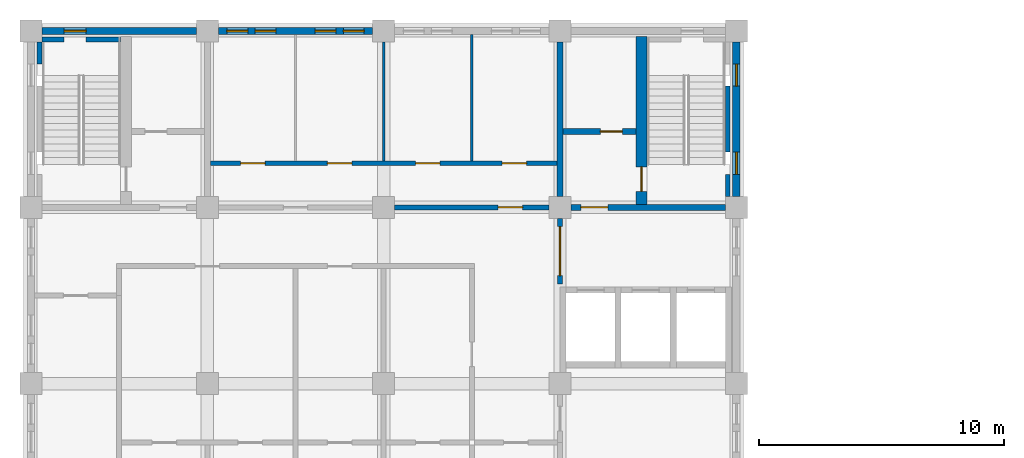
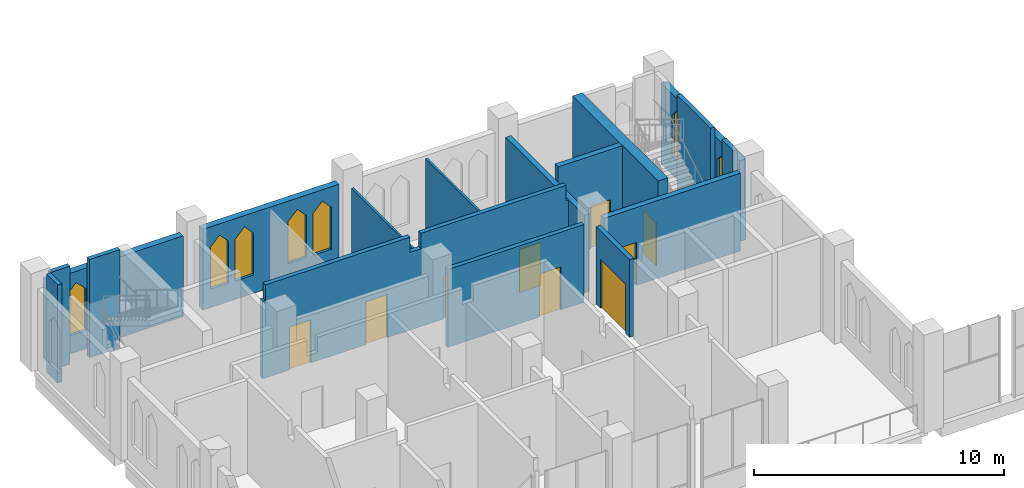
# One storey, part 24 of 30: 17 walls, 9 doors, 7 windows, 16 openings.
"""IFC4 building model written with IfcOpenShell, lengths in metres."""

from ifc_helpers import new_model, si_unit, direction, frame, frame_2d, origin, place, context, subcontext, project, spatial, polyline, rectangle, outline, extrude, material, layer, layer_set, type_object, element, fill, save


model = new_model("IFC4")

# Units and contexts
model_context = context("Model", 3, precision=1e-05, world=origin(), true_north=direction((0.0, 1.0)))
body_context = subcontext(model_context, "Body", "Model", "MODEL_VIEW")
ifc_project = project(units=[si_unit("LENGTHUNIT", "METRE"), si_unit("AREAUNIT", "SQUARE_METRE"), si_unit("VOLUMEUNIT", "CUBIC_METRE"), si_unit("PLANEANGLEUNIT", "RADIAN"), si_unit("MASSUNIT", "GRAM", prefix="KILO")], contexts=[model_context])

# Site, building, storey
site_placement = place(None, origin())
site = spatial("IfcSite", under=ifc_project, at=site_placement, CompositionType="ELEMENT")
building_placement = place(site_placement, origin())
building = spatial("IfcBuilding", under=site, at=building_placement, Name="Silangan Lancet Faculty of Sciences", CompositionType="ELEMENT")
storey_placement = place(building_placement, frame((0.0, 0.0, 31.199951171875)))
storey = spatial("IfcBuildingStorey", under=building, at=storey_placement, Name="L06", CompositionType="ELEMENT", Elevation=31.199951171875)

# Wall, openings, windows
ifc_material_1 = material(Name="Concrete C40/50 precast", Category="concrete")
ifc_layer_1 = layer(ifc_material_1, 0.300048828125)
ifc_layer_set_1 = layer_set([ifc_layer_1], Name="Concrete C40/50 precast")
wall_type_1 = type_object("IfcWallType", Name="EW1 Precast cladding wall", PredefinedType="STANDARD", material=ifc_layer_set_1)
wall_1_placement = place(storey_placement, frame((13.949951171875, 57.60009765625, 0.0), z_axis=(0.0, 0.0, 1.0), x_axis=(-1.0, 0.0, 0.0)))
wall_1 = element("IfcWall", 1, at=wall_1_placement, inside=storey, type_object=wall_type_1, Name="EW-L06-N-NT-02", PredefinedType="STANDARD", context=body_context, shape_type="SweptSolid", body=[
    extrude(rectangle(XDim=6.300048828125, YDim=0.300048828125, at=frame_2d((3.14990234375, 0.0))), origin(), (0.0, 0.0, 1.0), 3.949951171875),
])
opening_1_placement = place(wall_1_placement, frame((0.35009765625, 0.0, 0.89990234375)))
opening_1 = element("IfcOpeningElement", 2, at=opening_1_placement, cuts=wall_1, Name="Opening W14", PredefinedType="OPENING", context=body_context, shape_type="SweptSolid", body=[
    extrude(outline(polyline([(0.0, 0.0), (0.85009765625, 0.0), (0.85009765625, 2.050048828125), (0.425048828125, 2.5), (0.0, 2.050048828125), (0.0, 0.0)])), frame((0.0, 0.159912109375, 0.0), z_axis=(0.0, -1.0, 0.0), x_axis=(1.0, 0.0, 0.0)), (0.0, 0.0, 1.0), 0.320068359375),
])
opening_2_placement = place(wall_1_placement, frame((1.5, 0.0, 0.89990234375)))
opening_2 = element("IfcOpeningElement", 3, at=opening_2_placement, cuts=wall_1, Name="Opening W14", PredefinedType="OPENING", context=body_context, shape_type="SweptSolid", body=[
    extrude(outline(polyline([(0.0, 0.0), (0.85009765625, 0.0), (0.85009765625, 2.050048828125), (0.425048828125, 2.5), (0.0, 2.050048828125), (0.0, 0.0)])), frame((0.0, 0.159912109375, 0.0), z_axis=(0.0, -1.0, 0.0), x_axis=(1.0, 0.0, 0.0)), (0.0, 0.0, 1.0), 0.320068359375),
])
opening_3_placement = place(wall_1_placement, frame((3.949951171875, 0.0, 0.89990234375)))
opening_3 = element("IfcOpeningElement", 4, at=opening_3_placement, cuts=wall_1, Name="Opening W14", PredefinedType="OPENING", context=body_context, shape_type="SweptSolid", body=[
    extrude(outline(polyline([(0.0, 0.0), (0.85009765625, 0.0), (0.85009765625, 2.050048828125), (0.425048828125, 2.5), (0.0, 2.050048828125), (0.0, 0.0)])), frame((0.0, 0.159912109375, 0.0), z_axis=(0.0, -1.0, 0.0), x_axis=(1.0, 0.0, 0.0)), (0.0, 0.0, 1.0), 0.320068359375),
])
opening_4_placement = place(wall_1_placement, frame((5.10009765625, 0.0, 0.89990234375)))
opening_4 = element("IfcOpeningElement", 5, at=opening_4_placement, cuts=wall_1, Name="Opening W14", PredefinedType="OPENING", context=body_context, shape_type="SweptSolid", body=[
    extrude(outline(polyline([(0.0, 0.0), (0.85009765625, 0.0), (0.85009765625, 2.050048828125), (0.425048828125, 2.5), (0.0, 2.050048828125), (0.0, 0.0)])), frame((0.0, 0.159912109375, 0.0), z_axis=(0.0, -1.0, 0.0), x_axis=(1.0, 0.0, 0.0)), (0.0, 0.0, 1.0), 0.320068359375),
])
ifc_material_2 = material(Name="Aluminium frame, laminated double glazing", Category="aluminium")
window_type_1 = type_object("IfcWindowType", Name="W14 Lancet window 850 x 2500", PartitioningType="SINGLE_PANEL", PredefinedType="WINDOW", material=ifc_material_2)
window_1_placement = place(opening_1_placement, origin())
window_1 = element("IfcWindow", 6, at=window_1_placement, inside=storey, type_object=window_type_1, Name="WIN-L06-N-NT-02a1", OverallHeight=2.5, OverallWidth=0.85009765625, PartitioningType="SINGLE_PANEL", PredefinedType="WINDOW", context=body_context, shape_type="SweptSolid", body=[
    extrude(outline(polyline([(0.0, 0.0), (0.85009765625, 0.0), (0.85009765625, 2.050048828125), (0.425048828125, 2.5), (0.0, 2.050048828125), (0.0, 0.0)])), frame((0.0, 0.030029296875, 0.0), z_axis=(0.0, -1.0, 0.0), x_axis=(1.0, 0.0, 0.0)), (0.0, 0.0, 1.0), 0.06005859375),
])
fill(opening_1, window_1)
window_2_placement = place(opening_2_placement, origin())
window_2 = element("IfcWindow", 7, at=window_2_placement, inside=storey, type_object=window_type_1, Name="WIN-L06-N-NT-02a2", OverallHeight=2.5, OverallWidth=0.85009765625, PartitioningType="SINGLE_PANEL", PredefinedType="WINDOW", context=body_context, shape_type="SweptSolid", body=[
    extrude(outline(polyline([(0.0, 0.0), (0.85009765625, 0.0), (0.85009765625, 2.050048828125), (0.425048828125, 2.5), (0.0, 2.050048828125), (0.0, 0.0)])), frame((0.0, 0.030029296875, 0.0), z_axis=(0.0, -1.0, 0.0), x_axis=(1.0, 0.0, 0.0)), (0.0, 0.0, 1.0), 0.06005859375),
])
fill(opening_2, window_2)
window_3_placement = place(opening_3_placement, origin())
window_3 = element("IfcWindow", 8, at=window_3_placement, inside=storey, type_object=window_type_1, Name="WIN-L06-N-NT-02b1", OverallHeight=2.5, OverallWidth=0.85009765625, PartitioningType="SINGLE_PANEL", PredefinedType="WINDOW", context=body_context, shape_type="SweptSolid", body=[
    extrude(outline(polyline([(0.0, 0.0), (0.85009765625, 0.0), (0.85009765625, 2.050048828125), (0.425048828125, 2.5), (0.0, 2.050048828125), (0.0, 0.0)])), frame((0.0, 0.030029296875, 0.0), z_axis=(0.0, -1.0, 0.0), x_axis=(1.0, 0.0, 0.0)), (0.0, 0.0, 1.0), 0.06005859375),
])
fill(opening_3, window_3)
window_4_placement = place(opening_4_placement, origin())
window_4 = element("IfcWindow", 9, at=window_4_placement, inside=storey, type_object=window_type_1, Name="WIN-L06-N-NT-02b2", OverallHeight=2.5, OverallWidth=0.85009765625, PartitioningType="SINGLE_PANEL", PredefinedType="WINDOW", context=body_context, shape_type="SweptSolid", body=[
    extrude(outline(polyline([(0.0, 0.0), (0.85009765625, 0.0), (0.85009765625, 2.050048828125), (0.425048828125, 2.5), (0.0, 2.050048828125), (0.0, 0.0)])), frame((0.0, 0.030029296875, 0.0), z_axis=(0.0, -1.0, 0.0), x_axis=(1.0, 0.0, 0.0)), (0.0, 0.0, 1.0), 0.06005859375),
])
fill(opening_4, window_4)

# Wall, opening, window
ifc_material_3 = material(Name="Concrete C40/50 precast", Category="concrete")
ifc_layer_2 = layer(ifc_material_3, 0.300048828125)
ifc_layer_set_2 = layer_set([ifc_layer_2], Name="Concrete C40/50 precast")
wall_type_2 = type_object("IfcWallType", Name="EW2 Turret enclosure wall", PredefinedType="STANDARD", material=ifc_layer_set_2)
wall_2_placement = place(storey_placement, frame((6.75, 57.60009765625, 0.0), z_axis=(0.0, 0.0, 1.0), x_axis=(-1.0, 0.0, 0.0)))
wall_2 = element("IfcWall", 10, at=wall_2_placement, inside=storey, type_object=wall_type_2, Name="EW-L06-N-NT-03", PredefinedType="STANDARD", context=body_context, shape_type="SweptSolid", body=[
    extrude(rectangle(XDim=6.300048828125, YDim=0.300048828125, at=frame_2d((3.14990234375, 0.0))), origin(), (0.0, 0.0, 1.0), 3.949951171875),
])
opening_5_placement = place(wall_2_placement, frame((4.5, 0.0, 0.89990234375)))
opening_5 = element("IfcOpeningElement", 11, at=opening_5_placement, cuts=wall_2, Name="Opening W11", PredefinedType="OPENING", context=body_context, shape_type="SweptSolid", body=[
    extrude(outline(polyline([(0.0, 0.0), (0.89990234375, 0.0), (0.89990234375, 2.050048828125), (0.449951171875, 2.5), (0.0, 2.050048828125), (0.0, 0.0)])), frame((0.0, 0.159912109375, 0.0), z_axis=(0.0, -1.0, 0.0), x_axis=(1.0, 0.0, 0.0)), (0.0, 0.0, 1.0), 0.320068359375),
])
ifc_material_4 = material(Name="Aluminium frame, laminated double glazing", Category="aluminium")
window_type_2 = type_object("IfcWindowType", Name="W11 Lancet window 900 x 2500", PartitioningType="SINGLE_PANEL", PredefinedType="WINDOW", material=ifc_material_4)
window_5_placement = place(opening_5_placement, origin())
window_5 = element("IfcWindow", 12, at=window_5_placement, inside=storey, type_object=window_type_2, Name="WIN-L06-N-NT-03b", OverallHeight=2.5, OverallWidth=0.89990234375, PartitioningType="SINGLE_PANEL", PredefinedType="WINDOW", context=body_context, shape_type="SweptSolid", body=[
    extrude(outline(polyline([(0.0, 0.0), (0.89990234375, 0.0), (0.89990234375, 2.050048828125), (0.449951171875, 2.5), (0.0, 2.050048828125), (0.0, 0.0)])), frame((0.0, 0.030029296875, 0.0), z_axis=(0.0, -1.0, 0.0), x_axis=(1.0, 0.0, 0.0)), (0.0, 0.0, 1.0), 0.06005859375),
])
fill(opening_5, window_5)

# Wall, openings, windows
wall_3_placement = place(storey_placement, frame((28.800048828125, 50.85009765625, 0.0), z_axis=(0.0, 0.0, 1.0), x_axis=(0.0, 1.0, 0.0)))
wall_3 = element("IfcWall", 13, at=wall_3_placement, inside=storey, type_object=wall_type_2, Name="EW-L06-E-NT-02", PredefinedType="STANDARD", context=body_context, shape_type="SweptSolid", body=[
    extrude(rectangle(XDim=6.2998046875, YDim=0.300048828125, at=frame_2d((3.14990234375, 0.0))), origin(), (0.0, 0.0, 1.0), 3.949951171875),
])
opening_6_placement = place(wall_3_placement, frame((0.89990234375, 0.0, 0.89990234375)))
opening_6 = element("IfcOpeningElement", 14, at=opening_6_placement, cuts=wall_3, Name="Opening W11", PredefinedType="OPENING", context=body_context, shape_type="SweptSolid", body=[
    extrude(outline(polyline([(0.0, 0.0), (0.89990234375, 0.0), (0.89990234375, 2.050048828125), (0.449951171875, 2.5), (0.0, 2.050048828125), (0.0, 0.0)])), frame((0.0, 0.159912109375, 0.0), z_axis=(0.0, -1.0, 0.0), x_axis=(1.0, 0.0, 0.0)), (0.0, 0.0, 1.0), 0.320068359375),
])
opening_7_placement = place(wall_3_placement, frame((4.5, 0.0, 0.89990234375)))
opening_7 = element("IfcOpeningElement", 15, at=opening_7_placement, cuts=wall_3, Name="Opening W11", PredefinedType="OPENING", context=body_context, shape_type="SweptSolid", body=[
    extrude(outline(polyline([(0.0, 0.0), (0.89990234375, 0.0), (0.89990234375, 2.050048828125), (0.449951171875, 2.5), (0.0, 2.050048828125), (0.0, 0.0)])), frame((0.0, 0.159912109375, 0.0), z_axis=(0.0, -1.0, 0.0), x_axis=(1.0, 0.0, 0.0)), (0.0, 0.0, 1.0), 0.320068359375),
])
window_6_placement = place(opening_6_placement, origin())
window_6 = element("IfcWindow", 16, at=window_6_placement, inside=storey, type_object=window_type_2, Name="WIN-L06-E-NT-02a", OverallHeight=2.5, OverallWidth=0.89990234375, PartitioningType="SINGLE_PANEL", PredefinedType="WINDOW", context=body_context, shape_type="SweptSolid", body=[
    extrude(outline(polyline([(0.0, 0.0), (0.89990234375, 0.0), (0.89990234375, 2.050048828125), (0.449951171875, 2.5), (0.0, 2.050048828125), (0.0, 0.0)])), frame((0.0, 0.030029296875, 0.0), z_axis=(0.0, -1.0, 0.0), x_axis=(1.0, 0.0, 0.0)), (0.0, 0.0, 1.0), 0.06005859375),
])
fill(opening_6, window_6)
window_7_placement = place(opening_7_placement, origin())
window_7 = element("IfcWindow", 17, at=window_7_placement, inside=storey, type_object=window_type_2, Name="WIN-L06-E-NT-02b", OverallHeight=2.5, OverallWidth=0.89990234375, PartitioningType="SINGLE_PANEL", PredefinedType="WINDOW", context=body_context, shape_type="SweptSolid", body=[
    extrude(outline(polyline([(0.0, 0.0), (0.89990234375, 0.0), (0.89990234375, 2.050048828125), (0.449951171875, 2.5), (0.0, 2.050048828125), (0.0, 0.0)])), frame((0.0, 0.030029296875, 0.0), z_axis=(0.0, -1.0, 0.0), x_axis=(1.0, 0.0, 0.0)), (0.0, 0.0, 1.0), 0.06005859375),
])
fill(opening_7, window_7)

# Wall, opening, door
ifc_material_5 = material(Name="Hollow block masonry fm 7 MPa", Category="masonry")
ifc_layer_3 = layer(ifc_material_5, 0.199951171875)
ifc_layer_set_3 = layer_set([ifc_layer_3], Name="Hollow block masonry fm 7 MPa")
wall_type_3 = type_object("IfcWallType", Name="Interior wall PW1 Corridor wall CHB 200", PredefinedType="PARTITIONING", material=ifc_layer_set_3)
wall_4_placement = place(storey_placement, frame((14.85009765625, 50.39990234375, 0.0), z_axis=(0.0, 0.0, 1.0), x_axis=(1.0, 0.0, 0.0)))
wall_4 = element("IfcWall", 18, at=wall_4_placement, inside=storey, type_object=wall_type_3, Name="Corridor wall CHB 200", PredefinedType="PARTITIONING", context=body_context, shape_type="SweptSolid", body=[
    extrude(rectangle(XDim=6.2998046875, YDim=0.199951171875, at=frame_2d((3.14990234375, 0.0))), origin(), (0.0, 0.0, 1.0), 3.800048828125),
])
opening_8_placement = place(wall_4_placement, frame((4.224853515625, 0.0, 0.0)))
opening_8 = element("IfcOpeningElement", 19, at=opening_8_placement, cuts=wall_4, Name="Opening L06-006", PredefinedType="OPENING", context=body_context, shape_type="SweptSolid", body=[
    extrude(rectangle(XDim=1.0, YDim=2.10009765625, at=frame_2d((0.5, 1.050048828125))), frame((0.0, 0.10986328125, 0.0), z_axis=(0.0, -1.0, 0.0), x_axis=(1.0, 0.0, 0.0)), (0.0, 0.0, 1.0), 0.219970703125),
])
ifc_material_6 = material(Name="Steel fire door set", Category="steel")
door_type_1 = type_object("IfcDoorType", Name="Door D1 Single leaf fire door 1000 x 2100", OperationType="SINGLE_SWING_LEFT", PredefinedType="DOOR", material=ifc_material_6)
door_1_placement = place(opening_8_placement, origin())
door_1 = element("IfcDoor", 20, at=door_1_placement, inside=storey, type_object=door_type_1, Name="Single leaf fire door 1000 x 2100", OperationType="SINGLE_SWING_RIGHT", OverallHeight=2.10009765625, OverallWidth=1.0, PredefinedType="DOOR", context=body_context, shape_type="SweptSolid", body=[
    extrude(rectangle(XDim=1.0, YDim=2.10009765625, at=frame_2d((0.5, 1.050048828125))), frame((0.0, 0.02490234375, 0.0), z_axis=(0.0, -1.0, 0.0), x_axis=(1.0, 0.0, 0.0)), (0.0, 0.0, 1.0), 0.050048828125),
])
fill(opening_8, door_1)

# Wall, openings, doors
wall_5_placement = place(storey_placement, frame((7.324951171875, 52.199951171875, 0.0), z_axis=(0.0, 0.0, 1.0), x_axis=(1.0, 0.0, 0.0)))
wall_5 = element("IfcWall", 21, at=wall_5_placement, inside=storey, type_object=wall_type_3, Name="Corridor wall CHB 200", PredefinedType="PARTITIONING", context=body_context, shape_type="SweptSolid", body=[
    extrude(outline(polyline([(0.0, 0.0), (14.150146484375, 0.0), (14.150146484375, 3.800048828125), (14.02490234375, 3.800048828125), (14.02490234375, 4.550048828125), (7.324951171875, 4.550048828125), (7.324951171875, 3.800048828125), (6.824951171875, 3.800048828125), (6.824951171875, 4.550048828125), (0.125, 4.550048828125), (0.125, 3.800048828125), (0.0, 3.800048828125), (0.0, 0.0)])), frame((0.0, 0.10009765625, 0.0), z_axis=(0.0, -1.0, 0.0), x_axis=(1.0, 0.0, 0.0)), (0.0, 0.0, 1.0), 0.199951171875),
])
opening_9_placement = place(wall_5_placement, frame((1.237548828125, 0.0, 0.0)))
opening_9 = element("IfcOpeningElement", 22, at=opening_9_placement, cuts=wall_5, Name="Opening L06-020", PredefinedType="OPENING", context=body_context, shape_type="SweptSolid", body=[
    extrude(rectangle(XDim=1.0, YDim=2.10009765625, at=frame_2d((0.5, 1.050048828125))), frame((0.0, 0.10986328125, 0.0), z_axis=(0.0, -1.0, 0.0), x_axis=(1.0, 0.0, 0.0)), (0.0, 0.0, 1.0), 0.219970703125),
])
opening_10_placement = place(wall_5_placement, frame((4.77490234375, 0.0, 0.0)))
opening_10 = element("IfcOpeningElement", 23, at=opening_10_placement, cuts=wall_5, Name="Opening L06-021", PredefinedType="OPENING", context=body_context, shape_type="SweptSolid", body=[
    extrude(rectangle(XDim=1.0, YDim=2.10009765625, at=frame_2d((0.5, 1.050048828125))), frame((0.0, 0.10986328125, 0.0), z_axis=(0.0, -1.0, 0.0), x_axis=(1.0, 0.0, 0.0)), (0.0, 0.0, 1.0), 0.219970703125),
])
opening_11_placement = place(wall_5_placement, frame((8.375, 0.0, 0.0)))
opening_11 = element("IfcOpeningElement", 24, at=opening_11_placement, cuts=wall_5, Name="Opening L06-022", PredefinedType="OPENING", context=body_context, shape_type="SweptSolid", body=[
    extrude(rectangle(XDim=1.0, YDim=2.10009765625, at=frame_2d((0.5, 1.050048828125))), frame((0.0, 0.10986328125, 0.0), z_axis=(0.0, -1.0, 0.0), x_axis=(1.0, 0.0, 0.0)), (0.0, 0.0, 1.0), 0.219970703125),
])
opening_12_placement = place(wall_5_placement, frame((11.91259765625, 0.0, 0.0)))
opening_12 = element("IfcOpeningElement", 25, at=opening_12_placement, cuts=wall_5, Name="Opening L06-023", PredefinedType="OPENING", context=body_context, shape_type="SweptSolid", body=[
    extrude(rectangle(XDim=1.0, YDim=2.10009765625, at=frame_2d((0.5, 1.050048828125))), frame((0.0, 0.10986328125, 0.0), z_axis=(0.0, -1.0, 0.0), x_axis=(1.0, 0.0, 0.0)), (0.0, 0.0, 1.0), 0.219970703125),
])
door_2_placement = place(opening_9_placement, origin())
door_2 = element("IfcDoor", 26, at=door_2_placement, inside=storey, type_object=door_type_1, Name="Single leaf fire door 1000 x 2100", OperationType="SINGLE_SWING_RIGHT", OverallHeight=2.10009765625, OverallWidth=1.0, PredefinedType="DOOR", context=body_context, shape_type="SweptSolid", body=[
    extrude(rectangle(XDim=1.0, YDim=2.10009765625, at=frame_2d((0.5, 1.050048828125))), frame((0.0, 0.02490234375, 0.0), z_axis=(0.0, -1.0, 0.0), x_axis=(1.0, 0.0, 0.0)), (0.0, 0.0, 1.0), 0.050048828125),
])
fill(opening_9, door_2)
door_3_placement = place(opening_10_placement, origin())
door_3 = element("IfcDoor", 27, at=door_3_placement, inside=storey, type_object=door_type_1, Name="Single leaf fire door 1000 x 2100", OperationType="SINGLE_SWING_LEFT", OverallHeight=2.10009765625, OverallWidth=1.0, PredefinedType="DOOR", context=body_context, shape_type="SweptSolid", body=[
    extrude(rectangle(XDim=1.0, YDim=2.10009765625, at=frame_2d((0.5, 1.050048828125))), frame((0.0, 0.02490234375, 0.0), z_axis=(0.0, -1.0, 0.0), x_axis=(1.0, 0.0, 0.0)), (0.0, 0.0, 1.0), 0.050048828125),
])
fill(opening_10, door_3)
door_4_placement = place(opening_11_placement, origin())
door_4 = element("IfcDoor", 28, at=door_4_placement, inside=storey, type_object=door_type_1, Name="Single leaf fire door 1000 x 2100", OperationType="SINGLE_SWING_RIGHT", OverallHeight=2.10009765625, OverallWidth=1.0, PredefinedType="DOOR", context=body_context, shape_type="SweptSolid", body=[
    extrude(rectangle(XDim=1.0, YDim=2.10009765625, at=frame_2d((0.5, 1.050048828125))), frame((0.0, 0.02490234375, 0.0), z_axis=(0.0, -1.0, 0.0), x_axis=(1.0, 0.0, 0.0)), (0.0, 0.0, 1.0), 0.050048828125),
])
fill(opening_11, door_4)
door_5_placement = place(opening_12_placement, origin())
door_5 = element("IfcDoor", 29, at=door_5_placement, inside=storey, type_object=door_type_1, Name="Single leaf fire door 1000 x 2100", OperationType="SINGLE_SWING_LEFT", OverallHeight=2.10009765625, OverallWidth=1.0, PredefinedType="DOOR", context=body_context, shape_type="SweptSolid", body=[
    extrude(rectangle(XDim=1.0, YDim=2.10009765625, at=frame_2d((0.5, 1.050048828125))), frame((0.0, 0.02490234375, 0.0), z_axis=(0.0, -1.0, 0.0), x_axis=(1.0, 0.0, 0.0)), (0.0, 0.0, 1.0), 0.050048828125),
])
fill(opening_12, door_5)

# Walls
ifc_material_7 = material(Name="Hollow block masonry fm 7 MPa", Category="masonry")
ifc_layer_4 = layer(ifc_material_7, 0.10009765625)
ifc_layer_set_4 = layer_set([ifc_layer_4], Name="Hollow block masonry fm 7 MPa")
wall_type_4 = type_object("IfcWallType", Name="Interior wall PW8 WC partition CHB 100", PredefinedType="PARTITIONING", material=ifc_layer_set_4)
wall_6_placement = place(storey_placement, frame((14.39990234375, 52.300048828125, 0.0), z_axis=(0.0, 0.0, 1.0), x_axis=(0.0, 1.0, 0.0)))
element("IfcWall", 30, at=wall_6_placement, inside=storey, type_object=wall_type_4, Name="WC partition CHB 100", PredefinedType="PARTITIONING", context=body_context, shape_type="SweptSolid", body=[
    extrude(rectangle(XDim=4.849853515625, YDim=0.10009765625, at=frame_2d((2.4248046875, 0.0))), origin(), (0.0, 0.0, 1.0), 3.800048828125),
])
wall_7_placement = place(storey_placement, frame((18.0, 52.300048828125, 0.0), z_axis=(0.0, 0.0, 1.0), x_axis=(0.0, 1.0, 0.0)))
element("IfcWall", 31, at=wall_7_placement, inside=storey, type_object=wall_type_4, Name="WC partition CHB 100", PredefinedType="PARTITIONING", context=body_context, shape_type="SweptSolid", body=[
    extrude(rectangle(XDim=5.14990234375, YDim=0.10009765625, at=frame_2d((2.574951171875, 0.0))), origin(), (0.0, 0.0, 1.0), 3.800048828125),
])

# Wall, opening, door
ifc_material_8 = material(Name="Hollow block masonry fm 7 MPa", Category="masonry")
ifc_layer_5 = layer(ifc_material_8, 0.199951171875)
ifc_layer_set_5 = layer_set([ifc_layer_5], Name="Hollow block masonry fm 7 MPa")
wall_type_5 = type_object("IfcWallType", Name="Interior wall PW9 Lift lobby wall CHB 200", PredefinedType="PARTITIONING", material=ifc_layer_set_5)
wall_8_placement = place(storey_placement, frame((21.60009765625, 47.27490234375, 0.0), z_axis=(0.0, 0.0, 1.0), x_axis=(0.0, 1.0, 0.0)))
wall_8 = element("IfcWall", 32, at=wall_8_placement, inside=storey, type_object=wall_type_5, Name="Lift lobby wall CHB 200", PredefinedType="PARTITIONING", context=body_context, shape_type="SweptSolid", body=[
    extrude(rectangle(XDim=2.675048828125, YDim=0.199951171875, at=frame_2d((1.33740234375, 0.0))), origin(), (0.0, 0.0, 1.0), 3.800048828125),
])
opening_13_placement = place(wall_8_placement, frame((0.33740234375, 0.0, 0.0)))
opening_13 = element("IfcOpeningElement", 33, at=opening_13_placement, cuts=wall_8, Name="Opening L06-004", PredefinedType="OPENING", context=body_context, shape_type="SweptSolid", body=[
    extrude(rectangle(XDim=2.0, YDim=2.39990234375, at=frame_2d((1.0, 1.199951171875))), frame((0.0, 0.10986328125, 0.0), z_axis=(0.0, -1.0, 0.0), x_axis=(1.0, 0.0, 0.0)), (0.0, 0.0, 1.0), 0.219970703125),
])
ifc_material_9 = material(Name="Steel fire door set", Category="steel")
door_type_2 = type_object("IfcDoorType", Name="Door D5 Lift lobby double fire door 2000 x 2400", OperationType="DOUBLE_DOOR_SINGLE_SWING", PredefinedType="DOOR", material=ifc_material_9)
door_6_placement = place(opening_13_placement, origin())
door_6 = element("IfcDoor", 34, at=door_6_placement, inside=storey, type_object=door_type_2, Name="Lift lobby double fire door 2000 x 2400", OperationType="DOUBLE_DOOR_SINGLE_SWING", OverallHeight=2.39990234375, OverallWidth=2.0, PredefinedType="DOOR", context=body_context, shape_type="SweptSolid", body=[
    extrude(rectangle(XDim=2.0, YDim=2.39990234375, at=frame_2d((1.0, 1.199951171875))), frame((0.0, 0.02490234375, 0.0), z_axis=(0.0, -1.0, 0.0), x_axis=(1.0, 0.0, 0.0)), (0.0, 0.0, 1.0), 0.050048828125),
])
fill(opening_13, door_6)

ifc_material_10 = material(Name="Concrete C40/50", Category="concrete")
ifc_layer_6 = layer(ifc_material_10, 0.449951171875)
ifc_layer_set_6 = layer_set([ifc_layer_6], Name="Concrete C40/50")
wall_type_6 = type_object("IfcWallType", Name="TURRET CORE WALL RC 450", PredefinedType="SHEAR", material=ifc_layer_set_6)
wall_9_placement = place(storey_placement, frame((24.925048828125, 50.52490234375, 0.0), z_axis=(0.0, 0.0, 1.0), x_axis=(0.0, 1.0, 0.0)))
wall_9 = element("IfcWall", 35, at=wall_9_placement, inside=storey, type_object=wall_type_6, Name="WALL-L06-NT-B-WELL", PredefinedType="SHEAR", context=body_context, shape_type="SweptSolid", body=[
    extrude(rectangle(XDim=6.85009765625, YDim=0.449951171875, at=frame_2d((3.425048828125, 0.0))), origin(), (0.0, 0.0, 1.0), 4.550048828125),
])
opening_14_placement = place(wall_9_placement, frame((0.52490234375, 0.0, 0.0)))
opening_14 = element("IfcOpeningElement", 36, at=opening_14_placement, cuts=wall_9, Name="Opening L06-704", PredefinedType="OPENING", context=body_context, shape_type="SweptSolid", body=[
    extrude(rectangle(XDim=1.0, YDim=2.10009765625, at=frame_2d((0.5, 1.050048828125))), frame((0.0, 0.23486328125, 0.0), z_axis=(0.0, -1.0, 0.0), x_axis=(1.0, 0.0, 0.0)), (0.0, 0.0, 1.0), 0.469970703125),
])
ifc_material_11 = material(Name="Steel fire door set", Category="steel")
door_type_3 = type_object("IfcDoorType", Name="D71 Stair enclosure door 1000x2100", OperationType="SINGLE_SWING_LEFT", PredefinedType="DOOR", material=ifc_material_11)
door_7_placement = place(opening_14_placement, frame((1.0, 0.0, 0.0), z_axis=(0.0, 0.0, 1.0), x_axis=(-1.0, 0.0, 0.0)))
door_7 = element("IfcDoor", 37, at=door_7_placement, inside=storey, type_object=door_type_3, Name="Stair enclosure door NT-B L06", OperationType="SINGLE_SWING_RIGHT", OverallHeight=2.10009765625, OverallWidth=1.0, PredefinedType="DOOR", context=body_context, shape_type="SweptSolid", body=[
    extrude(rectangle(XDim=1.0, YDim=2.10009765625, at=frame_2d((0.5, 1.050048828125))), frame((0.0, 0.025146484375, 0.0), z_axis=(0.0, -1.0, 0.0), x_axis=(1.0, 0.0, 0.0)), (0.0, 0.0, 1.0), 0.050048828125),
])
fill(opening_14, door_7)

# Walls
ifc_material_12 = material(Name="Concrete C40/50", Category="concrete")
ifc_layer_7 = layer(ifc_material_12, 0.199951171875)
ifc_layer_set_7 = layer_set([ifc_layer_7], Name="Concrete C40/50")
wall_type_7 = type_object("IfcWallType", Name="TURRET LINING WALL RC 200", PredefinedType="SHEAR", material=ifc_layer_set_7)
wall_10_placement = place(storey_placement, frame((0.35009765625, 56.25, -0.25), z_axis=(0.0, 0.0, 1.0), x_axis=(0.0, 1.0, 0.0)))
element("IfcWall", 38, at=wall_10_placement, inside=storey, type_object=wall_type_7, Name="WALL-L06-NT-A-WL-3", PredefinedType="SHEAR", context=body_context, shape_type="SweptSolid", body=[
    extrude(rectangle(XDim=0.89990234375, YDim=0.199951171875, at=frame_2d((0.449951171875, 0.0))), origin(), (0.0, 0.0, 1.0), 4.800048828125),
])
wall_11_placement = place(storey_placement, frame((0.449951171875, 57.25, -0.25), z_axis=(0.0, 0.0, 1.0), x_axis=(1.0, 0.0, 0.0)))
element("IfcWall", 39, at=wall_11_placement, inside=storey, type_object=wall_type_7, Name="WALL-L06-NT-A-WLD", PredefinedType="SHEAR", context=body_context, shape_type="SweptSolid", body=[
    extrude(rectangle(XDim=0.900146484375, YDim=0.199951171875, at=frame_2d((0.4501953125, 0.0))), origin(), (0.0, 0.0, 1.0), 4.800048828125),
])
wall_12_placement = place(storey_placement, frame((2.25, 57.25, -0.25), z_axis=(0.0, 0.0, 1.0), x_axis=(1.0, 0.0, 0.0)))
element("IfcWall", 40, at=wall_12_placement, inside=storey, type_object=wall_type_7, Name="WALL-L06-NT-A-WLD-2", PredefinedType="SHEAR", context=body_context, shape_type="SweptSolid", body=[
    extrude(rectangle(XDim=1.39990234375, YDim=0.199951171875, at=frame_2d((0.699951171875, 0.0))), origin(), (0.0, 0.0, 1.0), 4.800048828125),
])
wall_13_placement = place(storey_placement, frame((28.449951171875, 50.85009765625, -0.25), z_axis=(0.0, 0.0, 1.0), x_axis=(0.0, 1.0, 0.0)))
element("IfcWall", 41, at=wall_13_placement, inside=storey, type_object=wall_type_7, Name="WALL-L06-NT-B-WL", PredefinedType="SHEAR", context=body_context, shape_type="SweptSolid", body=[
    extrude(rectangle(XDim=0.89990234375, YDim=0.199951171875, at=frame_2d((0.449951171875, 0.0))), origin(), (0.0, 0.0, 1.0), 4.800048828125),
])
wall_14_placement = place(storey_placement, frame((28.449951171875, 52.64990234375, -0.25), z_axis=(0.0, 0.0, 1.0), x_axis=(0.0, 1.0, 0.0)))
element("IfcWall", 42, at=wall_14_placement, inside=storey, type_object=wall_type_7, Name="WALL-L06-NT-B-WL-2", PredefinedType="SHEAR", context=body_context, shape_type="SweptSolid", body=[
    extrude(rectangle(XDim=2.7001953125, YDim=0.199951171875, at=frame_2d((1.35009765625, 0.0))), origin(), (0.0, 0.0, 1.0), 4.800048828125),
])

# Wall, opening, door
ifc_material_13 = material(Name="Concrete C40/50", Category="concrete")
ifc_layer_8 = layer(ifc_material_13, 0.25)
ifc_layer_set_8 = layer_set([ifc_layer_8], Name="Concrete C40/50")
wall_type_8 = type_object("IfcWallType", Name="TURRET WALL RC 250", PredefinedType="SHEAR", material=ifc_layer_set_8)
wall_15_placement = place(storey_placement, frame((22.050048828125, 50.39990234375, 0.0), z_axis=(0.0, 0.0, 1.0), x_axis=(1.0, 0.0, 0.0)))
wall_15 = element("IfcWall", 43, at=wall_15_placement, inside=storey, type_object=wall_type_8, Name="WALL-L06-NT-B-V", PredefinedType="SHEAR", context=body_context, shape_type="SweptSolid", body=[
    extrude(rectangle(XDim=6.300048828125, YDim=0.25, at=frame_2d((3.14990234375, 0.0))), origin(), (0.0, 0.0, 1.0), 3.800048828125),
])
opening_15_placement = place(wall_15_placement, frame((0.39990234375, 0.0, 0.0)))
opening_15 = element("IfcOpeningElement", 44, at=opening_15_placement, cuts=wall_15, Name="Opening L06-705", PredefinedType="OPENING", context=body_context, shape_type="SweptSolid", body=[
    extrude(rectangle(XDim=1.10009765625, YDim=2.10009765625, at=frame_2d((0.550048828125, 1.050048828125))), frame((0.0, 0.135009765625, 0.0), z_axis=(0.0, -1.0, 0.0), x_axis=(1.0, 0.0, 0.0)), (0.0, 0.0, 1.0), 0.27001953125),
])
ifc_material_14 = material(Name="Steel fire door set", Category="steel")
door_type_4 = type_object("IfcDoorType", Name="D70 Stair vestibule door 1100x2100", OperationType="SINGLE_SWING_LEFT", PredefinedType="DOOR", material=ifc_material_14)
door_8_placement = place(opening_15_placement, origin())
door_8 = element("IfcDoor", 45, at=door_8_placement, inside=storey, type_object=door_type_4, Name="Stair vestibule door NT-B L06", OperationType="SINGLE_SWING_LEFT", OverallHeight=2.10009765625, OverallWidth=1.10009765625, PredefinedType="DOOR", context=body_context, shape_type="SweptSolid", body=[
    extrude(rectangle(XDim=1.10009765625, YDim=2.10009765625, at=frame_2d((0.550048828125, 1.050048828125))), frame((0.0, 0.02490234375, 0.0), z_axis=(0.0, -1.0, 0.0), x_axis=(1.0, 0.0, 0.0)), (0.0, 0.0, 1.0), 0.050048828125),
])
fill(opening_15, door_8)

# Wall
wall_16_placement = place(storey_placement, frame((21.60009765625, 50.85009765625, 0.0), z_axis=(0.0, 0.0, 1.0), x_axis=(0.0, 1.0, 0.0)))
element("IfcWall", 46, at=wall_16_placement, inside=storey, type_object=wall_type_8, Name="WALL-L06-NT-B-O", PredefinedType="SHEAR", context=body_context, shape_type="SweptSolid", body=[
    extrude(rectangle(XDim=6.2998046875, YDim=0.25, at=frame_2d((3.14990234375, 0.0))), origin(), (0.0, 0.0, 1.0), 3.800048828125),
])

# Wall, opening, door
wall_17_placement = place(storey_placement, frame((21.72509765625, 53.5, 0.0), z_axis=(0.0, 0.0, 1.0), x_axis=(1.0, 0.0, 0.0)))
wall_17 = element("IfcWall", 47, at=wall_17_placement, inside=storey, type_object=wall_type_8, Name="WALL-L06-NT-B-RISER", PredefinedType="SHEAR", context=body_context, shape_type="SweptSolid", body=[
    extrude(rectangle(XDim=2.974853515625, YDim=0.25, at=frame_2d((1.4873046875, 0.0))), origin(), (0.0, 0.0, 1.0), 4.550048828125),
])
opening_16_placement = place(wall_17_placement, frame((1.52490234375, 0.0, 0.0)))
opening_16 = element("IfcOpeningElement", 48, at=opening_16_placement, cuts=wall_17, Name="Opening L06-706", PredefinedType="OPENING", context=body_context, shape_type="SweptSolid", body=[
    extrude(rectangle(XDim=0.89990234375, YDim=2.10009765625, at=frame_2d((0.449951171875, 1.050048828125))), frame((0.0, 0.135009765625, 0.0), z_axis=(0.0, -1.0, 0.0), x_axis=(1.0, 0.0, 0.0)), (0.0, 0.0, 1.0), 0.27001953125),
])
ifc_material_15 = material(Name="Steel fire door set", Category="steel")
door_type_5 = type_object("IfcDoorType", Name="D72 Riser access door 900x2100", OperationType="SINGLE_SWING_LEFT", PredefinedType="DOOR", material=ifc_material_15)
door_9_placement = place(opening_16_placement, origin())
door_9 = element("IfcDoor", 49, at=door_9_placement, inside=storey, type_object=door_type_5, Name="Riser access door NT-B L06", OperationType="SINGLE_SWING_LEFT", OverallHeight=2.10009765625, OverallWidth=0.89990234375, PredefinedType="DOOR", context=body_context, shape_type="SweptSolid", body=[
    extrude(rectangle(XDim=0.89990234375, YDim=2.10009765625, at=frame_2d((0.449951171875, 1.050048828125))), frame((0.0, 0.02490234375, 0.0), z_axis=(0.0, -1.0, 0.0), x_axis=(1.0, 0.0, 0.0)), (0.0, 0.0, 1.0), 0.050048828125),
])
fill(opening_16, door_9)

save(model, "model.ifc")
